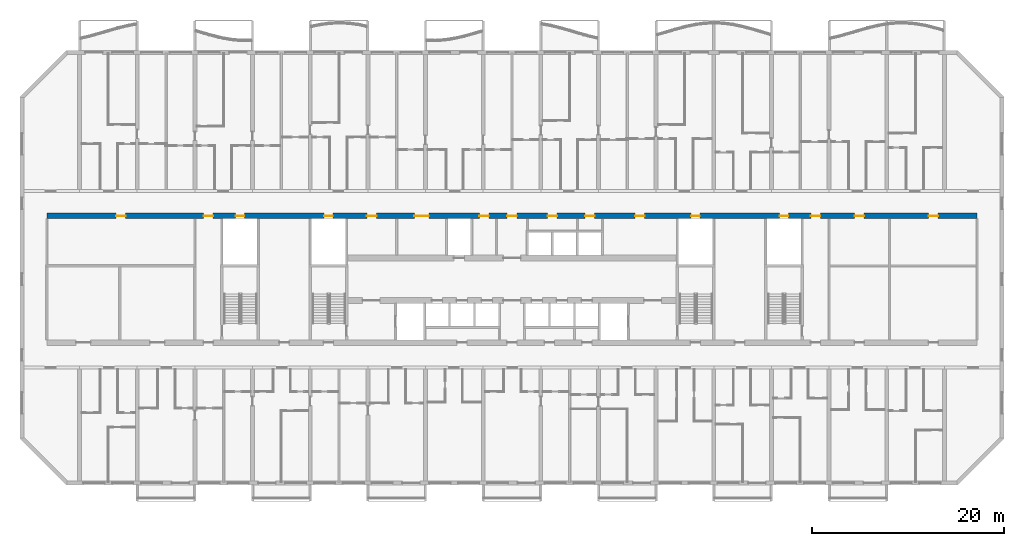
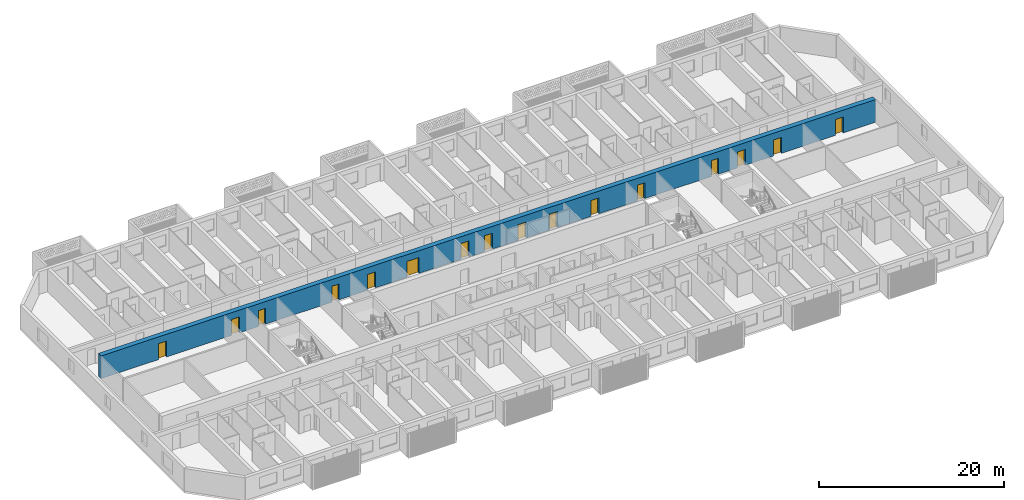
# One storey, part 9 of 38: 16 doors, 1 wall, 16 openings.
"""IFC4 building model written with IfcOpenShell, lengths in metres."""

from ifc_helpers import new_model, si_unit, direction, frame, frame_2d, origin, place, context, subcontext, project, spatial, rectangle, extrude, material, layer, layer_set, type_object, element, fill, save


model = new_model("IFC4")

# Units and contexts
model_context = context("Model", 3, precision=1e-05, world=origin(), true_north=direction((0.0, 1.0)))
body_context = subcontext(model_context, "Body", "Model", "MODEL_VIEW")
ifc_project = project(units=[si_unit("LENGTHUNIT", "METRE"), si_unit("AREAUNIT", "SQUARE_METRE"), si_unit("VOLUMEUNIT", "CUBIC_METRE"), si_unit("PLANEANGLEUNIT", "RADIAN"), si_unit("MASSUNIT", "GRAM", prefix="KILO")], contexts=[model_context])

# Site, building, storey
site_placement = place(None, origin())
site = spatial("IfcSite", under=ifc_project, at=site_placement, CompositionType="ELEMENT")
building_placement = place(site_placement, origin())
building = spatial("IfcBuilding", under=site, at=building_placement, Name="Poui Terraces", CompositionType="ELEMENT")
storey_placement = place(building_placement, frame((0.0, 0.0, 49.800048828125)))
storey = spatial("IfcBuildingStorey", under=building, at=storey_placement, Name="L13", CompositionType="ELEMENT", Elevation=49.800048828125)

# Wall, openings, doors
ifc_material_1 = material(Name="Concrete 80 MPa", Category="concrete")
ifc_layer = layer(ifc_material_1, 0.60009765625)
ifc_layer_set = layer_set([ifc_layer], Name="Concrete 80 MPa")
wall_type = type_object("IfcWallType", Name="SPINE WALL 600 80 MPA", PredefinedType="SOLIDWALL", material=ifc_layer_set)
wall_placement = place(storey_placement, frame((2.60009765625, 27.800048828125, 0.0), z_axis=(0.0, 0.0, 1.0), x_axis=(1.0, 0.0, 0.0)))
wall = element("IfcWall", 1, at=wall_placement, inside=storey, type_object=wall_type, Name="SPINE WALL", PredefinedType="SOLIDWALL", context=body_context, shape_type="SweptSolid", body=[
    extrude(rectangle(XDim=96.7998046875, YDim=0.60009765625, at=frame_2d((48.39990234375, 0.0))), origin(), (0.0, 0.0, 1.0), 3.0),
])
opening_1_placement = place(wall_placement, frame((7.199951171875, 0.0, 0.0)))
opening_1 = element("IfcOpeningElement", 2, at=opening_1_placement, cuts=wall, Name="Opening D100", PredefinedType="OPENING", context=body_context, shape_type="SweptSolid", body=[
    extrude(rectangle(XDim=1.0, YDim=2.10009765625, at=frame_2d((0.5, 1.050048828125))), frame((0.0, 0.31005859375, 0.0), z_axis=(0.0, -1.0, 0.0), x_axis=(1.0, 0.0, 0.0)), (0.0, 0.0, 1.0), 0.6201171875),
])
opening_2_placement = place(wall_placement, frame((16.300048828125, 0.0, 0.0)))
opening_2 = element("IfcOpeningElement", 3, at=opening_2_placement, cuts=wall, Name="Opening FDL", PredefinedType="OPENING", context=body_context, shape_type="SweptSolid", body=[
    extrude(rectangle(XDim=1.0, YDim=2.10009765625, at=frame_2d((0.5, 1.050048828125))), frame((0.0, 0.31005859375, 0.0), z_axis=(0.0, -1.0, 0.0), x_axis=(1.0, 0.0, 0.0)), (0.0, 0.0, 1.0), 0.6201171875),
])
opening_3_placement = place(wall_placement, frame((19.64990234375, 0.0, 0.0)))
opening_3 = element("IfcOpeningElement", 4, at=opening_3_placement, cuts=wall, Name="Opening FDR", PredefinedType="OPENING", context=body_context, shape_type="SweptSolid", body=[
    extrude(rectangle(XDim=0.89990234375, YDim=2.10009765625, at=frame_2d((0.449951171875, 1.050048828125))), frame((0.0, 0.31005859375, 0.0), z_axis=(0.0, -1.0, 0.0), x_axis=(1.0, 0.0, 0.0)), (0.0, 0.0, 1.0), 0.6201171875),
])
opening_4_placement = place(wall_placement, frame((28.85009765625, 0.0, 0.0)))
opening_4 = element("IfcOpeningElement", 5, at=opening_4_placement, cuts=wall, Name="Opening FDR", PredefinedType="OPENING", context=body_context, shape_type="SweptSolid", body=[
    extrude(rectangle(XDim=0.89990234375, YDim=2.10009765625, at=frame_2d((0.449951171875, 1.050048828125))), frame((0.0, 0.31005859375, 0.0), z_axis=(0.0, -1.0, 0.0), x_axis=(1.0, 0.0, 0.0)), (0.0, 0.0, 1.0), 0.6201171875),
])
opening_5_placement = place(wall_placement, frame((33.300048828125, 0.0, 0.0)))
opening_5 = element("IfcOpeningElement", 6, at=opening_5_placement, cuts=wall, Name="Opening FD60", PredefinedType="OPENING", context=body_context, shape_type="SweptSolid", body=[
    extrude(rectangle(XDim=1.0, YDim=2.10009765625, at=frame_2d((0.5, 1.050048828125))), frame((0.0, 0.31005859375, 0.0), z_axis=(0.0, -1.0, 0.0), x_axis=(1.0, 0.0, 0.0)), (0.0, 0.0, 1.0), 0.6201171875),
])
opening_6_placement = place(wall_placement, frame((38.25, 0.0, 0.0)))
opening_6 = element("IfcOpeningElement", 7, at=opening_6_placement, cuts=wall, Name="Opening FDP", PredefinedType="OPENING", context=body_context, shape_type="SweptSolid", body=[
    extrude(rectangle(XDim=1.5, YDim=2.10009765625, at=frame_2d((0.75, 1.050048828125))), frame((0.0, 0.31005859375, 0.0), z_axis=(0.0, -1.0, 0.0), x_axis=(1.0, 0.0, 0.0)), (0.0, 0.0, 1.0), 0.6201171875),
])
opening_7_placement = place(wall_placement, frame((45.0, 0.0, 0.0)))
opening_7 = element("IfcOpeningElement", 8, at=opening_7_placement, cuts=wall, Name="Opening FD60", PredefinedType="OPENING", context=body_context, shape_type="SweptSolid", body=[
    extrude(rectangle(XDim=1.0, YDim=2.10009765625, at=frame_2d((0.5, 1.050048828125))), frame((0.0, 0.31005859375, 0.0), z_axis=(0.0, -1.0, 0.0), x_axis=(1.0, 0.0, 0.0)), (0.0, 0.0, 1.0), 0.6201171875),
])
opening_8_placement = place(wall_placement, frame((47.89990234375, 0.0, 0.0)))
opening_8 = element("IfcOpeningElement", 9, at=opening_8_placement, cuts=wall, Name="Opening FDL", PredefinedType="OPENING", context=body_context, shape_type="SweptSolid", body=[
    extrude(rectangle(XDim=1.0, YDim=2.10009765625, at=frame_2d((0.5, 1.050048828125))), frame((0.0, 0.31005859375, 0.0), z_axis=(0.0, -1.0, 0.0), x_axis=(1.0, 0.0, 0.0)), (0.0, 0.0, 1.0), 0.6201171875),
])
opening_9_placement = place(wall_placement, frame((52.10009765625, 0.0, 0.0)))
opening_9 = element("IfcOpeningElement", 10, at=opening_9_placement, cuts=wall, Name="Opening FD60", PredefinedType="OPENING", context=body_context, shape_type="SweptSolid", body=[
    extrude(rectangle(XDim=1.0, YDim=2.10009765625, at=frame_2d((0.5, 1.050048828125))), frame((0.0, 0.31005859375, 0.0), z_axis=(0.0, -1.0, 0.0), x_axis=(1.0, 0.0, 0.0)), (0.0, 0.0, 1.0), 0.6201171875),
])
opening_10_placement = place(wall_placement, frame((56.0, 0.0, 0.0)))
opening_10 = element("IfcOpeningElement", 11, at=opening_10_placement, cuts=wall, Name="Opening FD60", PredefinedType="OPENING", context=body_context, shape_type="SweptSolid", body=[
    extrude(rectangle(XDim=1.0, YDim=2.10009765625, at=frame_2d((0.5, 1.050048828125))), frame((0.0, 0.31005859375, 0.0), z_axis=(0.0, -1.0, 0.0), x_axis=(1.0, 0.0, 0.0)), (0.0, 0.0, 1.0), 0.6201171875),
])
opening_11_placement = place(wall_placement, frame((61.199951171875, 0.0, 0.0)))
opening_11 = element("IfcOpeningElement", 12, at=opening_11_placement, cuts=wall, Name="Opening FD60", PredefinedType="OPENING", context=body_context, shape_type="SweptSolid", body=[
    extrude(rectangle(XDim=1.0, YDim=2.10009765625, at=frame_2d((0.5, 1.050048828125))), frame((0.0, 0.31005859375, 0.0), z_axis=(0.0, -1.0, 0.0), x_axis=(1.0, 0.0, 0.0)), (0.0, 0.0, 1.0), 0.6201171875),
])
opening_12_placement = place(wall_placement, frame((67.050048828125, 0.0, 0.0)))
opening_12 = element("IfcOpeningElement", 13, at=opening_12_placement, cuts=wall, Name="Opening FDR", PredefinedType="OPENING", context=body_context, shape_type="SweptSolid", body=[
    extrude(rectangle(XDim=0.89990234375, YDim=2.10009765625, at=frame_2d((0.449951171875, 1.050048828125))), frame((0.0, 0.31005859375, 0.0), z_axis=(0.0, -1.0, 0.0), x_axis=(1.0, 0.0, 0.0)), (0.0, 0.0, 1.0), 0.6201171875),
])
opening_13_placement = place(wall_placement, frame((76.25, 0.0, 0.0)))
opening_13 = element("IfcOpeningElement", 14, at=opening_13_placement, cuts=wall, Name="Opening FDR", PredefinedType="OPENING", context=body_context, shape_type="SweptSolid", body=[
    extrude(rectangle(XDim=0.89990234375, YDim=2.10009765625, at=frame_2d((0.449951171875, 1.050048828125))), frame((0.0, 0.31005859375, 0.0), z_axis=(0.0, -1.0, 0.0), x_axis=(1.0, 0.0, 0.0)), (0.0, 0.0, 1.0), 0.6201171875),
])
opening_14_placement = place(wall_placement, frame((79.5, 0.0, 0.0)))
opening_14 = element("IfcOpeningElement", 15, at=opening_14_placement, cuts=wall, Name="Opening FDL", PredefinedType="OPENING", context=body_context, shape_type="SweptSolid", body=[
    extrude(rectangle(XDim=1.0, YDim=2.10009765625, at=frame_2d((0.5, 1.050048828125))), frame((0.0, 0.31005859375, 0.0), z_axis=(0.0, -1.0, 0.0), x_axis=(1.0, 0.0, 0.0)), (0.0, 0.0, 1.0), 0.6201171875),
])
opening_15_placement = place(wall_placement, frame((84.050048828125, 0.0, 0.0)))
opening_15 = element("IfcOpeningElement", 16, at=opening_15_placement, cuts=wall, Name="Opening D100", PredefinedType="OPENING", context=body_context, shape_type="SweptSolid", body=[
    extrude(rectangle(XDim=1.0, YDim=2.10009765625, at=frame_2d((0.5, 1.050048828125))), frame((0.0, 0.31005859375, 0.0), z_axis=(0.0, -1.0, 0.0), x_axis=(1.0, 0.0, 0.0)), (0.0, 0.0, 1.0), 0.6201171875),
])
opening_16_placement = place(wall_placement, frame((91.75, 0.0, 0.0)))
opening_16 = element("IfcOpeningElement", 17, at=opening_16_placement, cuts=wall, Name="Opening FD60", PredefinedType="OPENING", context=body_context, shape_type="SweptSolid", body=[
    extrude(rectangle(XDim=1.0, YDim=2.10009765625, at=frame_2d((0.5, 1.050048828125))), frame((0.0, 0.31005859375, 0.0), z_axis=(0.0, -1.0, 0.0), x_axis=(1.0, 0.0, 0.0)), (0.0, 0.0, 1.0), 0.6201171875),
])
ifc_material_2 = material(Name="Solid core timber door", Category="wood")
door_type_1 = type_object("IfcDoorType", Name="ACCESSIBLE INTERNAL DOOR 1000 X 2100", OperationType="NOTDEFINED", PredefinedType="DOOR", material=ifc_material_2)
door_1_placement = place(opening_1_placement, origin())
door_1 = element("IfcDoor", 18, at=door_1_placement, inside=storey, type_object=door_type_1, Name="ACCESSIBLE INTERNAL DOOR 001", OperationType="SINGLE_SWING_RIGHT", OverallHeight=2.10009765625, OverallWidth=1.0, PredefinedType="DOOR", context=body_context, shape_type="SweptSolid", body=[
    extrude(rectangle(XDim=1.0, YDim=2.10009765625, at=frame_2d((0.5, 1.050048828125))), frame((0.0, 0.02490234375, 0.0), z_axis=(0.0, -1.0, 0.0), x_axis=(1.0, 0.0, 0.0)), (0.0, 0.0, 1.0), 0.050048828125),
])
fill(opening_1, door_1)
door_2_placement = place(opening_15_placement, origin())
door_2 = element("IfcDoor", 19, at=door_2_placement, inside=storey, type_object=door_type_1, Name="ACCESSIBLE INTERNAL DOOR 015", OperationType="SINGLE_SWING_LEFT", OverallHeight=2.10009765625, OverallWidth=1.0, PredefinedType="DOOR", context=body_context, shape_type="SweptSolid", body=[
    extrude(rectangle(XDim=1.0, YDim=2.10009765625, at=frame_2d((0.5, 1.050048828125))), frame((0.0, 0.02490234375, 0.0), z_axis=(0.0, -1.0, 0.0), x_axis=(1.0, 0.0, 0.0)), (0.0, 0.0, 1.0), 0.050048828125),
])
fill(opening_15, door_2)
ifc_material_3 = material(Name="Steel fire door", Category="steel")
door_type_2 = type_object("IfcDoorType", Name="LOBBY FIRE DOOR 1000 X 2100", OperationType="NOTDEFINED", PredefinedType="DOOR", material=ifc_material_3)
door_3_placement = place(opening_2_placement, origin())
door_3 = element("IfcDoor", 20, at=door_3_placement, inside=storey, type_object=door_type_2, Name="LOBBY FIRE DOOR 002", OperationType="SINGLE_SWING_LEFT", OverallHeight=2.10009765625, OverallWidth=1.0, PredefinedType="DOOR", context=body_context, shape_type="SweptSolid", body=[
    extrude(rectangle(XDim=1.0, YDim=2.10009765625, at=frame_2d((0.5, 1.050048828125))), frame((0.0, 0.02490234375, 0.0), z_axis=(0.0, -1.0, 0.0), x_axis=(1.0, 0.0, 0.0)), (0.0, 0.0, 1.0), 0.050048828125),
])
fill(opening_2, door_3)
door_4_placement = place(opening_8_placement, origin())
door_4 = element("IfcDoor", 21, at=door_4_placement, inside=storey, type_object=door_type_2, Name="LOBBY FIRE DOOR 008", OperationType="SINGLE_SWING_RIGHT", OverallHeight=2.10009765625, OverallWidth=1.0, PredefinedType="DOOR", context=body_context, shape_type="SweptSolid", body=[
    extrude(rectangle(XDim=1.0, YDim=2.10009765625, at=frame_2d((0.5, 1.050048828125))), frame((0.0, 0.02490234375, 0.0), z_axis=(0.0, -1.0, 0.0), x_axis=(1.0, 0.0, 0.0)), (0.0, 0.0, 1.0), 0.050048828125),
])
fill(opening_8, door_4)
door_5_placement = place(opening_14_placement, origin())
door_5 = element("IfcDoor", 22, at=door_5_placement, inside=storey, type_object=door_type_2, Name="LOBBY FIRE DOOR 014", OperationType="SINGLE_SWING_RIGHT", OverallHeight=2.10009765625, OverallWidth=1.0, PredefinedType="DOOR", context=body_context, shape_type="SweptSolid", body=[
    extrude(rectangle(XDim=1.0, YDim=2.10009765625, at=frame_2d((0.5, 1.050048828125))), frame((0.0, 0.02490234375, 0.0), z_axis=(0.0, -1.0, 0.0), x_axis=(1.0, 0.0, 0.0)), (0.0, 0.0, 1.0), 0.050048828125),
])
fill(opening_14, door_5)
door_type_3 = type_object("IfcDoorType", Name="PLANT ROOM DOOR PAIR 1500 X 2100", OperationType="DOUBLE_DOOR_SINGLE_SWING", PredefinedType="DOOR", material=ifc_material_3)
door_6_placement = place(opening_6_placement, origin())
door_6 = element("IfcDoor", 23, at=door_6_placement, inside=storey, type_object=door_type_3, Name="PLANT ROOM DOOR PAIR 006", OperationType="DOUBLE_DOOR_SINGLE_SWING", OverallHeight=2.10009765625, OverallWidth=1.5, PredefinedType="DOOR", context=body_context, shape_type="SweptSolid", body=[
    extrude(rectangle(XDim=1.5, YDim=2.10009765625, at=frame_2d((0.75, 1.050048828125))), frame((0.0, 0.02490234375, 0.0), z_axis=(0.0, -1.0, 0.0), x_axis=(1.0, 0.0, 0.0)), (0.0, 0.0, 1.0), 0.050048828125),
])
fill(opening_6, door_6)
door_type_4 = type_object("IfcDoorType", Name="RISER CUPBOARD DOOR 900 X 2100", OperationType="NOTDEFINED", PredefinedType="DOOR", material=ifc_material_3)
door_7_placement = place(opening_3_placement, origin())
door_7 = element("IfcDoor", 24, at=door_7_placement, inside=storey, type_object=door_type_4, Name="RISER CUPBOARD DOOR 003", OperationType="SINGLE_SWING_LEFT", OverallHeight=2.10009765625, OverallWidth=0.89990234375, PredefinedType="DOOR", context=body_context, shape_type="SweptSolid", body=[
    extrude(rectangle(XDim=0.89990234375, YDim=2.10009765625, at=frame_2d((0.449951171875, 1.050048828125))), frame((0.0, 0.02490234375, 0.0), z_axis=(0.0, -1.0, 0.0), x_axis=(1.0, 0.0, 0.0)), (0.0, 0.0, 1.0), 0.050048828125),
])
fill(opening_3, door_7)
door_8_placement = place(opening_4_placement, origin())
door_8 = element("IfcDoor", 25, at=door_8_placement, inside=storey, type_object=door_type_4, Name="RISER CUPBOARD DOOR 004", OperationType="SINGLE_SWING_LEFT", OverallHeight=2.10009765625, OverallWidth=0.89990234375, PredefinedType="DOOR", context=body_context, shape_type="SweptSolid", body=[
    extrude(rectangle(XDim=0.89990234375, YDim=2.10009765625, at=frame_2d((0.449951171875, 1.050048828125))), frame((0.0, 0.02490234375, 0.0), z_axis=(0.0, -1.0, 0.0), x_axis=(1.0, 0.0, 0.0)), (0.0, 0.0, 1.0), 0.050048828125),
])
fill(opening_4, door_8)
door_9_placement = place(opening_12_placement, origin())
door_9 = element("IfcDoor", 26, at=door_9_placement, inside=storey, type_object=door_type_4, Name="RISER CUPBOARD DOOR 012", OperationType="SINGLE_SWING_RIGHT", OverallHeight=2.10009765625, OverallWidth=0.89990234375, PredefinedType="DOOR", context=body_context, shape_type="SweptSolid", body=[
    extrude(rectangle(XDim=0.89990234375, YDim=2.10009765625, at=frame_2d((0.449951171875, 1.050048828125))), frame((0.0, 0.02490234375, 0.0), z_axis=(0.0, -1.0, 0.0), x_axis=(1.0, 0.0, 0.0)), (0.0, 0.0, 1.0), 0.050048828125),
])
fill(opening_12, door_9)
door_10_placement = place(opening_13_placement, origin())
door_10 = element("IfcDoor", 27, at=door_10_placement, inside=storey, type_object=door_type_4, Name="RISER CUPBOARD DOOR 013", OperationType="SINGLE_SWING_RIGHT", OverallHeight=2.10009765625, OverallWidth=0.89990234375, PredefinedType="DOOR", context=body_context, shape_type="SweptSolid", body=[
    extrude(rectangle(XDim=0.89990234375, YDim=2.10009765625, at=frame_2d((0.449951171875, 1.050048828125))), frame((0.0, 0.02490234375, 0.0), z_axis=(0.0, -1.0, 0.0), x_axis=(1.0, 0.0, 0.0)), (0.0, 0.0, 1.0), 0.050048828125),
])
fill(opening_13, door_10)
door_type_5 = type_object("IfcDoorType", Name="SERVICE ROOM FIRE DOOR 1000 X 2100", OperationType="NOTDEFINED", PredefinedType="DOOR", material=ifc_material_3)
door_11_placement = place(opening_5_placement, origin())
door_11 = element("IfcDoor", 28, at=door_11_placement, inside=storey, type_object=door_type_5, Name="SERVICE ROOM FIRE DOOR 005", OperationType="SINGLE_SWING_RIGHT", OverallHeight=2.10009765625, OverallWidth=1.0, PredefinedType="DOOR", context=body_context, shape_type="SweptSolid", body=[
    extrude(rectangle(XDim=1.0, YDim=2.10009765625, at=frame_2d((0.5, 1.050048828125))), frame((0.0, 0.02490234375, 0.0), z_axis=(0.0, -1.0, 0.0), x_axis=(1.0, 0.0, 0.0)), (0.0, 0.0, 1.0), 0.050048828125),
])
fill(opening_5, door_11)
door_12_placement = place(opening_7_placement, origin())
door_12 = element("IfcDoor", 29, at=door_12_placement, inside=storey, type_object=door_type_5, Name="SERVICE ROOM FIRE DOOR 007", OperationType="SINGLE_SWING_RIGHT", OverallHeight=2.10009765625, OverallWidth=1.0, PredefinedType="DOOR", context=body_context, shape_type="SweptSolid", body=[
    extrude(rectangle(XDim=1.0, YDim=2.10009765625, at=frame_2d((0.5, 1.050048828125))), frame((0.0, 0.02490234375, 0.0), z_axis=(0.0, -1.0, 0.0), x_axis=(1.0, 0.0, 0.0)), (0.0, 0.0, 1.0), 0.050048828125),
])
fill(opening_7, door_12)
door_13_placement = place(opening_9_placement, origin())
door_13 = element("IfcDoor", 30, at=door_13_placement, inside=storey, type_object=door_type_5, Name="SERVICE ROOM FIRE DOOR 009", OperationType="SINGLE_SWING_LEFT", OverallHeight=2.10009765625, OverallWidth=1.0, PredefinedType="DOOR", context=body_context, shape_type="SweptSolid", body=[
    extrude(rectangle(XDim=1.0, YDim=2.10009765625, at=frame_2d((0.5, 1.050048828125))), frame((0.0, 0.02490234375, 0.0), z_axis=(0.0, -1.0, 0.0), x_axis=(1.0, 0.0, 0.0)), (0.0, 0.0, 1.0), 0.050048828125),
])
fill(opening_9, door_13)
door_14_placement = place(opening_10_placement, origin())
door_14 = element("IfcDoor", 31, at=door_14_placement, inside=storey, type_object=door_type_5, Name="SERVICE ROOM FIRE DOOR 010", OperationType="SINGLE_SWING_RIGHT", OverallHeight=2.10009765625, OverallWidth=1.0, PredefinedType="DOOR", context=body_context, shape_type="SweptSolid", body=[
    extrude(rectangle(XDim=1.0, YDim=2.10009765625, at=frame_2d((0.5, 1.050048828125))), frame((0.0, 0.02490234375, 0.0), z_axis=(0.0, -1.0, 0.0), x_axis=(1.0, 0.0, 0.0)), (0.0, 0.0, 1.0), 0.050048828125),
])
fill(opening_10, door_14)
door_15_placement = place(opening_11_placement, origin())
door_15 = element("IfcDoor", 32, at=door_15_placement, inside=storey, type_object=door_type_5, Name="SERVICE ROOM FIRE DOOR 011", OperationType="SINGLE_SWING_LEFT", OverallHeight=2.10009765625, OverallWidth=1.0, PredefinedType="DOOR", context=body_context, shape_type="SweptSolid", body=[
    extrude(rectangle(XDim=1.0, YDim=2.10009765625, at=frame_2d((0.5, 1.050048828125))), frame((0.0, 0.02490234375, 0.0), z_axis=(0.0, -1.0, 0.0), x_axis=(1.0, 0.0, 0.0)), (0.0, 0.0, 1.0), 0.050048828125),
])
fill(opening_11, door_15)
door_16_placement = place(opening_16_placement, origin())
door_16 = element("IfcDoor", 33, at=door_16_placement, inside=storey, type_object=door_type_5, Name="SERVICE ROOM FIRE DOOR 016", OperationType="SINGLE_SWING_RIGHT", OverallHeight=2.10009765625, OverallWidth=1.0, PredefinedType="DOOR", context=body_context, shape_type="SweptSolid", body=[
    extrude(rectangle(XDim=1.0, YDim=2.10009765625, at=frame_2d((0.5, 1.050048828125))), frame((0.0, 0.02490234375, 0.0), z_axis=(0.0, -1.0, 0.0), x_axis=(1.0, 0.0, 0.0)), (0.0, 0.0, 1.0), 0.050048828125),
])
fill(opening_16, door_16)

save(model, "model.ifc")
